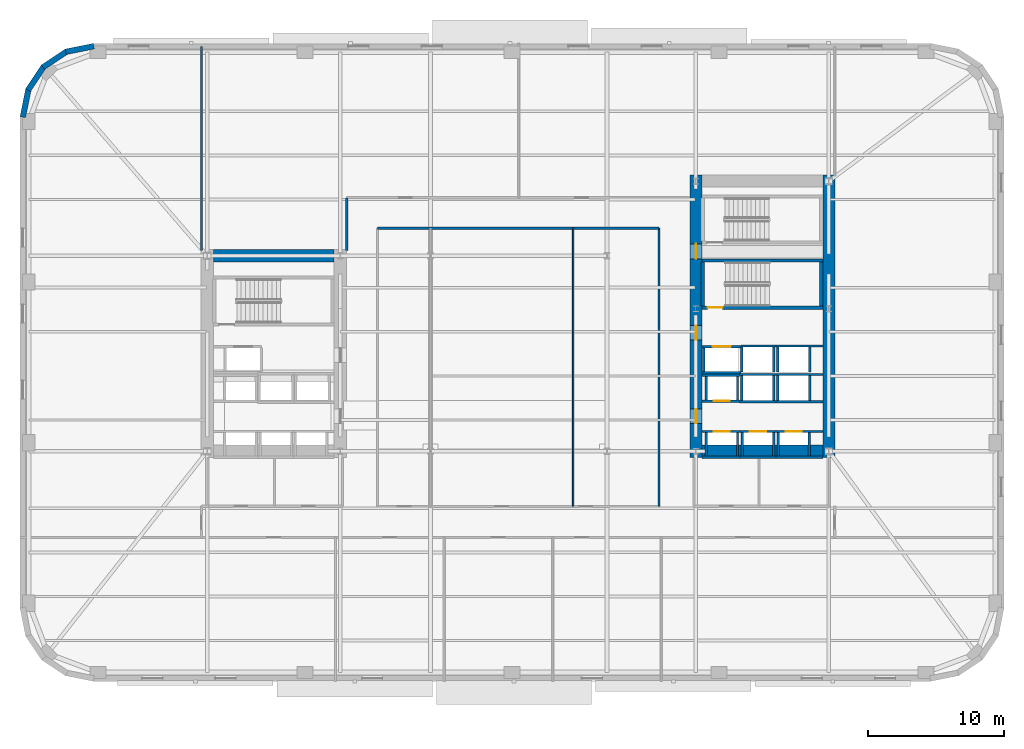
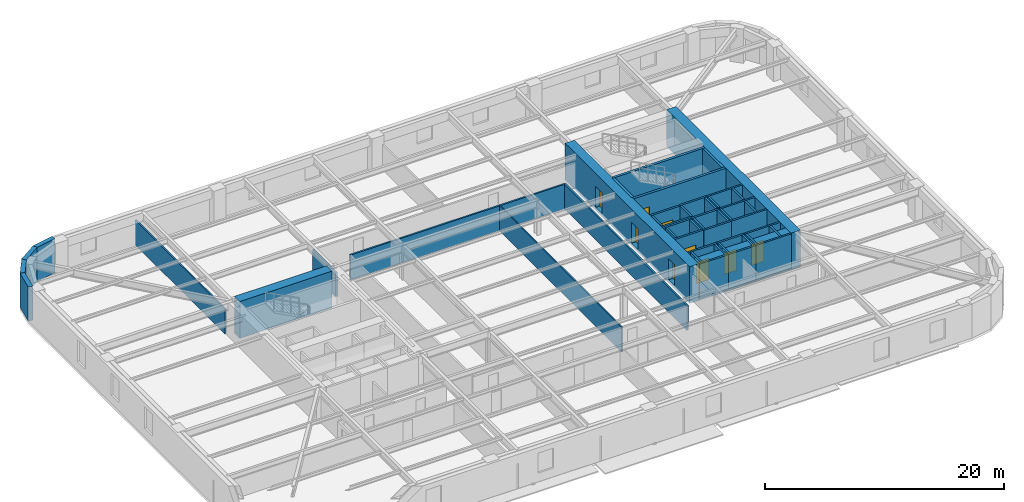
# One storey, part 6 of 14: 50 walls, 9 doors, 9 openings.
"""IFC4 building model written with IfcOpenShell, lengths in metres."""

from ifc_helpers import new_model, si_unit, direction, frame, frame_2d, origin, place, context, subcontext, project, spatial, rectangle, extrude, material, layer, layer_set, type_object, element, fill, save


model = new_model("IFC4")

# Units and contexts
model_context = context("Model", 3, precision=1e-05, world=origin(), true_north=direction((0.0, 1.0)))
body_context = subcontext(model_context, "Body", "Model", "MODEL_VIEW")
ifc_project = project(units=[si_unit("LENGTHUNIT", "METRE"), si_unit("AREAUNIT", "SQUARE_METRE"), si_unit("VOLUMEUNIT", "CUBIC_METRE"), si_unit("PLANEANGLEUNIT", "RADIAN"), si_unit("MASSUNIT", "GRAM", prefix="KILO")], contexts=[model_context])

# Site, building, storey
site_placement = place(None, origin())
site = spatial("IfcSite", under=ifc_project, at=site_placement, CompositionType="ELEMENT")
building_placement = place(site_placement, origin())
building = spatial("IfcBuilding", under=site, at=building_placement, Name="Kolvaren Arena Tower", CompositionType="ELEMENT")
storey_placement = place(building_placement, frame((0.0, 0.0, 57.0)))
storey = spatial("IfcBuildingStorey", under=building, at=storey_placement, Name="L11", CompositionType="ELEMENT", Elevation=57.0)

# Walls
ifc_material_1 = material(Name="Gypsum board acoustic assembly", Category="gypsum")
ifc_layer_1 = layer(ifc_material_1, 0.159912109375)
ifc_layer_set_1 = layer_set([ifc_layer_1], Name="Gypsum board acoustic assembly")
wall_type_1 = type_object("IfcWallType", Name="CORR-160", PredefinedType="PARTITIONING", material=ifc_layer_set_1)
wall_1_placement = place(storey_placement, frame((24.820068359375, 34.25, 0.0), z_axis=(0.0, 0.0, 1.0), x_axis=(0.0, 1.0, 0.0)))
element("IfcWall", 1, at=wall_1_placement, inside=storey, type_object=wall_type_1, Name="Interior Partition Wall (L11)", PredefinedType="PARTITIONING", context=body_context, shape_type="SweptSolid", body=[
    extrude(rectangle(XDim=3.8701171875, YDim=0.159912109375, at=frame_2d((1.93505859375, 0.0))), origin(), (0.0, 0.0, 1.0), 2.5400390625),
])
wall_2_placement = place(storey_placement, frame((27.080078125, 35.8798828125, 0.0), z_axis=(0.0, 0.0, 1.0), x_axis=(1.0, 0.0, 0.0)))
element("IfcWall", 2, at=wall_2_placement, inside=storey, type_object=wall_type_1, Name="Interior Partition Wall (L11)", PredefinedType="PARTITIONING", context=body_context, shape_type="SweptSolid", body=[
    extrude(rectangle(XDim=20.739990234375, YDim=0.159912109375, at=frame_2d((10.3701171875, 0.0))), origin(), (0.0, 0.0, 1.0), 2.5400390625),
])
wall_3_placement = place(storey_placement, frame((47.820068359375, 15.3798828125, 0.0), z_axis=(0.0, 0.0, 1.0), x_axis=(0.0, 1.0, 0.0)))
element("IfcWall", 3, at=wall_3_placement, inside=storey, type_object=wall_type_1, Name="Interior Partition Wall (L11)", PredefinedType="PARTITIONING", context=body_context, shape_type="SweptSolid", body=[
    extrude(rectangle(XDim=20.5, YDim=0.159912109375, at=frame_2d((10.25, 0.0))), origin(), (0.0, 0.0, 1.0), 2.5400390625),
])
ifc_material_2 = material(Name="Concrete 80 MPa", Category="concrete")
ifc_layer_2 = layer(ifc_material_2, 0.89990234375)
ifc_layer_set_2 = layer_set([ifc_layer_2], Name="Concrete 80 MPa")
wall_type_2 = type_object("IfcWallType", Name="CWALL-900", PredefinedType="SHEAR", material=ifc_layer_set_2)
wall_4_placement = place(storey_placement, frame((15.0, 33.85009765625, -0.27001953125), z_axis=(0.0, 0.0, 1.0), x_axis=(1.0, 0.0, 0.0)))
element("IfcWall", 4, at=wall_4_placement, inside=storey, type_object=wall_type_2, Name="Core Shear Wall WC-NORTH (L11)", PredefinedType="SHEAR", context=body_context, shape_type="SweptSolid", body=[
    extrude(rectangle(XDim=8.89990234375, YDim=0.89990234375, at=frame_2d((4.449951171875, 0.0))), origin(), (0.0, 0.0, 1.0), 3.75),
])

# Wall, openings, doors
wall_5_placement = place(storey_placement, frame((50.550048828125, 19.0, -0.27001953125), z_axis=(0.0, 0.0, 1.0), x_axis=(0.0, 1.0, 0.0)))
wall_5 = element("IfcWall", 5, at=wall_5_placement, inside=storey, type_object=wall_type_2, Name="Core Shear Wall EC-WEST (L11)", PredefinedType="SHEAR", context=body_context, shape_type="SweptSolid", body=[
    extrude(rectangle(XDim=20.800048828125, YDim=0.89990234375, at=frame_2d((10.39990234375, 0.0))), origin(), (0.0, 0.0, 1.0), 3.75),
])
opening_1_placement = place(wall_5_placement, frame((2.5, 0.0, 0.27001953125)))
opening_1 = element("IfcOpeningElement", 6, at=opening_1_placement, cuts=wall_5, Name="Opening D04", PredefinedType="OPENING", context=body_context, shape_type="SweptSolid", body=[
    extrude(rectangle(XDim=1.050048828125, YDim=2.14990234375, at=frame_2d((0.52490234375, 1.074951171875))), frame((0.0, 0.4599609375, 0.0), z_axis=(0.0, -1.0, 0.0), x_axis=(1.0, 0.0, 0.0)), (0.0, 0.0, 1.0), 0.919921875),
])
opening_2_placement = place(wall_5_placement, frame((8.64990234375, 0.0, 0.27001953125)))
opening_2 = element("IfcOpeningElement", 7, at=opening_2_placement, cuts=wall_5, Name="Opening D04", PredefinedType="OPENING", context=body_context, shape_type="SweptSolid", body=[
    extrude(rectangle(XDim=1.050048828125, YDim=2.14990234375, at=frame_2d((0.52490234375, 1.074951171875))), frame((0.0, 0.4599609375, 0.0), z_axis=(0.0, -1.0, 0.0), x_axis=(1.0, 0.0, 0.0)), (0.0, 0.0, 1.0), 0.919921875),
])
opening_3_placement = place(wall_5_placement, frame((14.6201171875, 0.0, 0.27001953125)))
opening_3 = element("IfcOpeningElement", 8, at=opening_3_placement, cuts=wall_5, Name="Opening D03", PredefinedType="OPENING", context=body_context, shape_type="SweptSolid", body=[
    extrude(rectangle(XDim=1.10009765625, YDim=2.14990234375, at=frame_2d((0.550048828125, 1.074951171875))), frame((0.0, 0.4599609375, 0.0), z_axis=(0.0, -1.0, 0.0), x_axis=(1.0, 0.0, 0.0)), (0.0, 0.0, 1.0), 0.919921875),
])
ifc_material_3 = material(Name="Fire-rated steel lobby door", Category="steel")
door_type_1 = type_object("IfcDoorType", Name="DOOR-FF-105", OperationType="NOTDEFINED", PredefinedType="DOOR", material=ifc_material_3)
door_1_placement = place(opening_1_placement, origin())
door_1 = element("IfcDoor", 9, at=door_1_placement, inside=storey, type_object=door_type_1, Name="East Lift Lobby Fire Door (L11)", OperationType="SINGLE_SWING_RIGHT", OverallHeight=2.14990234375, OverallWidth=1.050048828125, PredefinedType="DOOR", context=body_context, shape_type="SweptSolid", body=[
    extrude(rectangle(XDim=1.050048828125, YDim=2.14990234375, at=frame_2d((0.52490234375, 1.074951171875))), frame((0.0, 0.02490234375, 0.0), z_axis=(0.0, -1.0, 0.0), x_axis=(1.0, 0.0, 0.0)), (0.0, 0.0, 1.0), 0.050048828125),
])
fill(opening_1, door_1)
door_2_placement = place(opening_2_placement, origin())
door_2 = element("IfcDoor", 10, at=door_2_placement, inside=storey, type_object=door_type_1, Name="East Firefighter Vestibule Door (L11)", OperationType="SINGLE_SWING_LEFT", OverallHeight=2.14990234375, OverallWidth=1.050048828125, PredefinedType="DOOR", context=body_context, shape_type="SweptSolid", body=[
    extrude(rectangle(XDim=1.050048828125, YDim=2.14990234375, at=frame_2d((0.52490234375, 1.074951171875))), frame((0.0, 0.02490234375, 0.0), z_axis=(0.0, -1.0, 0.0), x_axis=(1.0, 0.0, 0.0)), (0.0, 0.0, 1.0), 0.050048828125),
])
fill(opening_2, door_2)
ifc_material_4 = material(Name="Fire-rated steel exit stair door", Category="steel")
door_type_2 = type_object("IfcDoorType", Name="DOOR-ST-110", OperationType="NOTDEFINED", PredefinedType="DOOR", material=ifc_material_4)
door_3_placement = place(opening_3_placement, origin())
door_3 = element("IfcDoor", 11, at=door_3_placement, inside=storey, type_object=door_type_2, Name="Stair ST-E2 Vestibule Fire Door (L11)", OperationType="SINGLE_SWING_LEFT", OverallHeight=2.14990234375, OverallWidth=1.10009765625, PredefinedType="DOOR", context=body_context, shape_type="SweptSolid", body=[
    extrude(rectangle(XDim=1.10009765625, YDim=2.14990234375, at=frame_2d((0.550048828125, 1.074951171875))), frame((0.0, 0.02490234375, 0.0), z_axis=(0.0, -1.0, 0.0), x_axis=(1.0, 0.0, 0.0)), (0.0, 0.0, 1.0), 0.050048828125),
])
fill(opening_3, door_3)

# Walls
wall_6_placement = place(storey_placement, frame((60.35009765625, 19.0, -0.27001953125), z_axis=(0.0, 0.0, 1.0), x_axis=(0.0, 1.0, 0.0)))
element("IfcWall", 12, at=wall_6_placement, inside=storey, type_object=wall_type_2, Name="Core Shear Wall EC-EAST (L11)", PredefinedType="SHEAR", context=body_context, shape_type="SweptSolid", body=[
    extrude(rectangle(XDim=20.800048828125, YDim=0.89990234375, at=frame_2d((10.39990234375, 0.0))), origin(), (0.0, 0.0, 1.0), 3.75),
])
wall_7_placement = place(storey_placement, frame((51.0, 19.449951171875, -0.27001953125), z_axis=(0.0, 0.0, 1.0), x_axis=(1.0, 0.0, 0.0)))
element("IfcWall", 13, at=wall_7_placement, inside=storey, type_object=wall_type_2, Name="Core Shear Wall EC-SOUTH (L11)", PredefinedType="SHEAR", context=body_context, shape_type="SweptSolid", body=[
    extrude(rectangle(XDim=8.89990234375, YDim=0.89990234375, at=frame_2d((4.449951171875, 0.0))), origin(), (0.0, 0.0, 1.0), 3.75),
])
ifc_material_5 = material(Name="Precast concrete C50/60", Category="concrete")
ifc_layer_3 = layer(ifc_material_5, 0.419921875)
ifc_layer_set_3 = layer_set([ifc_layer_3], Name="Precast concrete C50/60")
wall_type_3 = type_object("IfcWallType", Name="EXT-PIER1", PredefinedType="SOLIDWALL", material=ifc_layer_set_3)
for number, where, z_axis, x_axis, name in (
    (14, (4.12451171875, 48.8828125, 0.0), (0.0, 0.0, 1.0), (0.9807762837, 0.195135546048, 0.0), "Exterior Precast Masonry-Frame Wall (L11)"),
    (15, (2.4482421875, 47.743896484375, 0.0), (0.0, 0.0, 1.0), (0.831515102434, 0.555502146192, 0.0), "Exterior Precast Masonry-Frame Wall (L11)"),
    (16, (1.335693359375, 46.0498046875, 0.0), (0.0, 0.0, 1.0), (0.555502146192, 0.831515102434, 0.0), "Exterior Precast Masonry-Frame Wall (L11)"),
    (17, (0.9560546875, 44.05908203125, 0.0), (0.0, 0.0, 1.0), (0.195135546048, 0.9807762837, 0.0), "Exterior Precast Masonry-Frame Wall (L11)"),
):
    element("IfcWall", number, at=place(storey_placement, frame(where, z_axis=z_axis, x_axis=x_axis)), inside=storey, type_object=wall_type_3, Name=name, PredefinedType="SOLIDWALL", context=body_context, shape_type="SweptSolid", body=[
        extrude(rectangle(XDim=2.10693359375, YDim=0.419921875, at=frame_2d((1.053466796875, 0.0))), origin(), (0.0, 0.0, 1.0), 3.47998046875),
    ])
ifc_material_6 = material(Name="Gypsum board partition assembly", Category="gypsum")
ifc_layer_4 = layer(ifc_material_6, 0.114990234375)
ifc_layer_set_4 = layer_set([ifc_layer_4], Name="Gypsum board partition assembly")
wall_type_4 = type_object("IfcWallType", Name="PART-115", PredefinedType="PARTITIONING", material=ifc_layer_set_4)
wall_8_placement = place(storey_placement, frame((41.5, 15.3798828125, 0.0), z_axis=(0.0, 0.0, 1.0), x_axis=(0.0, 1.0, 0.0)))
element("IfcWall", 18, at=wall_8_placement, inside=storey, type_object=wall_type_4, Name="Interior Partition Wall (L11)", PredefinedType="PARTITIONING", context=body_context, shape_type="SweptSolid", body=[
    extrude(rectangle(XDim=20.5, YDim=0.114990234375, at=frame_2d((10.25, 0.0))), origin(), (0.0, 0.0, 1.0), 2.5400390625),
])
ifc_layer_5 = layer(ifc_material_6, 0.135009765625)
ifc_layer_set_5 = layer_set([ifc_layer_5], Name="Gypsum board partition assembly")
wall_type_5 = type_object("IfcWallType", Name="PART-135", PredefinedType="PARTITIONING", material=ifc_layer_set_5)
wall_9_placement = place(storey_placement, frame((14.1201171875, 34.25, 0.0), z_axis=(0.0, 0.0, 1.0), x_axis=(0.0, 1.0, 0.0)))
element("IfcWall", 19, at=wall_9_placement, inside=storey, type_object=wall_type_5, Name="Interior Partition Wall (L11)", PredefinedType="PARTITIONING", context=body_context, shape_type="SweptSolid", body=[
    extrude(rectangle(XDim=15.010009765625, YDim=0.135009765625, at=frame_2d((7.5048828125, 0.0))), origin(), (0.0, 0.0, 1.0), 2.5400390625),
])

# Wall, opening, door
ifc_material_7 = material(Name="Concrete 45 MPa", Category="concrete")
ifc_layer_6 = layer(ifc_material_7, 0.25)
ifc_layer_set_6 = layer_set([ifc_layer_6], Name="Concrete 45 MPa")
wall_type_6 = type_object("IfcWallType", Name="SHAFT-250", PredefinedType="SOLIDWALL", material=ifc_layer_set_6)
wall_10_placement = place(storey_placement, frame((59.89990234375, 30.030029296875, 0.0), z_axis=(0.0, 0.0, 1.0), x_axis=(-1.0, 0.0, 0.0)))
wall_10 = element("IfcWall", 20, at=wall_10_placement, inside=storey, type_object=wall_type_6, Name="Core Shaft Wall (L11)", PredefinedType="SOLIDWALL", context=body_context, shape_type="SweptSolid", body=[
    extrude(rectangle(XDim=8.89990234375, YDim=0.239990234375, at=frame_2d((4.449951171875, 0.0))), origin(), (0.0, 0.0, 1.0), 3.47998046875),
])
opening_4_placement = place(wall_10_placement, frame((7.3798828125, 0.0, 0.0)))
opening_4 = element("IfcOpeningElement", 21, at=opening_4_placement, cuts=wall_10, Name="Opening D03", PredefinedType="OPENING", context=body_context, shape_type="SweptSolid", body=[
    extrude(rectangle(XDim=1.10009765625, YDim=2.14990234375, at=frame_2d((0.550048828125, 1.074951171875))), frame((0.0, 0.1298828125, 0.0), z_axis=(0.0, -1.0, 0.0), x_axis=(1.0, 0.0, 0.0)), (0.0, 0.0, 1.0), 0.260009765625),
])
door_4_placement = place(opening_4_placement, origin())
door_4 = element("IfcDoor", 22, at=door_4_placement, inside=storey, type_object=door_type_2, Name="Stair ST-E1 Fire Door (L11)", OperationType="SINGLE_SWING_LEFT", OverallHeight=2.14990234375, OverallWidth=1.10009765625, PredefinedType="DOOR", context=body_context, shape_type="SweptSolid", body=[
    extrude(rectangle(XDim=1.10009765625, YDim=2.14990234375, at=frame_2d((0.550048828125, 1.074951171875))), frame((0.0, 0.02490234375, 0.0), z_axis=(0.0, -1.0, 0.0), x_axis=(1.0, 0.0, 0.0)), (0.0, 0.0, 1.0), 0.050048828125),
])
fill(opening_4, door_4)

# Walls
wall_11_placement = place(storey_placement, frame((51.0, 33.5, 0.0), z_axis=(0.0, 0.0, 1.0), x_axis=(1.0, 0.0, 0.0)))
element("IfcWall", 23, at=wall_11_placement, inside=storey, type_object=wall_type_6, Name="Core Shaft Wall (L11)", PredefinedType="SOLIDWALL", context=body_context, shape_type="SweptSolid", body=[
    extrude(rectangle(XDim=8.89990234375, YDim=0.239990234375, at=frame_2d((4.449951171875, 0.0))), origin(), (0.0, 0.0, 1.0), 3.47998046875),
])
for number, where, z_axis, x_axis, name in (
    (24, (51.06005859375, 30.14990234375, 0.0), (0.0, 0.0, 1.0), (0.0, 1.0, 0.0), "Core Shaft Wall (L11)"),
    (25, (59.780029296875, 30.14990234375, 0.0), (0.0, 0.0, 1.0), (0.0, 1.0, 0.0), "Core Shaft Wall (L11)"),
):
    element("IfcWall", number, at=place(storey_placement, frame(where, z_axis=z_axis, x_axis=x_axis)), inside=storey, type_object=wall_type_6, Name=name, PredefinedType="SOLIDWALL", context=body_context, shape_type="SweptSolid", body=[
        extrude(rectangle(XDim=3.22998046875, YDim=0.239990234375, at=frame_2d((1.614990234375, 0.0))), origin(), (0.0, 0.0, 1.0), 3.47998046875),
    ])

# Wall, opening, door
wall_12_placement = place(storey_placement, frame((51.0, 20.905029296875, 0.0), z_axis=(0.0, 0.0, 1.0), x_axis=(1.0, 0.0, 0.0)))
wall_12 = element("IfcWall", 26, at=wall_12_placement, inside=storey, type_object=wall_type_6, Name="Core Shaft Wall (L11)", PredefinedType="SOLIDWALL", context=body_context, shape_type="SweptSolid", body=[
    extrude(rectangle(XDim=2.7900390625, YDim=0.179931640625, at=frame_2d((1.39501953125, 0.0))), origin(), (0.0, 0.0, 1.0), 3.47998046875),
])
opening_5_placement = place(wall_12_placement, frame((0.860107421875, 0.0, 0.0)))
opening_5 = element("IfcOpeningElement", 27, at=opening_5_placement, cuts=wall_12, Name="Opening LD1", PredefinedType="OPENING", context=body_context, shape_type="SweptSolid", body=[
    extrude(rectangle(XDim=1.199951171875, YDim=2.199951171875, at=frame_2d((0.60009765625, 1.10009765625))), frame((0.0, 0.099853515625, 0.0), z_axis=(0.0, -1.0, 0.0), x_axis=(1.0, 0.0, 0.0)), (0.0, 0.0, 1.0), 0.199951171875),
])
ifc_material_8 = material(Name="Stainless steel passenger lift landing door", Category="steel")
door_type_3 = type_object("IfcDoorType", Name="DOOR-LD-120", OperationType="DOUBLE_DOOR_SLIDING", PredefinedType="DOOR", material=ifc_material_8)
door_5_placement = place(opening_5_placement, origin())
door_5 = element("IfcDoor", 28, at=door_5_placement, inside=storey, type_object=door_type_3, Name="Lift EL-LR1 Landing Door (L11)", OperationType="DOUBLE_DOOR_SLIDING", OverallHeight=2.199951171875, OverallWidth=1.199951171875, PredefinedType="DOOR", context=body_context, shape_type="SweptSolid", body=[
    extrude(rectangle(XDim=1.199951171875, YDim=2.199951171875, at=frame_2d((0.60009765625, 1.10009765625))), frame((0.0, 0.02490234375, 0.0), z_axis=(0.0, -1.0, 0.0), x_axis=(1.0, 0.0, 0.0)), (0.0, 0.0, 1.0), 0.050048828125),
])
fill(opening_5, door_5)

# Walls
wall_13_placement = place(storey_placement, frame((51.0, 18.9951171875, 0.0), z_axis=(0.0, 0.0, 1.0), x_axis=(1.0, 0.0, 0.0)))
element("IfcWall", 29, at=wall_13_placement, inside=storey, type_object=wall_type_6, Name="Core Shaft Wall (L11)", PredefinedType="SOLIDWALL", context=body_context, shape_type="SweptSolid", body=[
    extrude(rectangle(XDim=2.7900390625, YDim=0.179931640625, at=frame_2d((1.39501953125, 0.0))), origin(), (0.0, 0.0, 1.0), 3.47998046875),
])
for number, where, z_axis, x_axis, name in (
    (30, (51.304931640625, 19.0849609375, 0.0), (0.0, 0.0, 1.0), (0.0, 1.0, 0.0), "Core Shaft Wall (L11)"),
    (31, (53.614990234375, 19.0849609375, 0.0), (0.0, 0.0, 1.0), (0.0, 1.0, 0.0), "Core Shaft Wall (L11)"),
):
    element("IfcWall", number, at=place(storey_placement, frame(where, z_axis=z_axis, x_axis=x_axis)), inside=storey, type_object=wall_type_6, Name=name, PredefinedType="SOLIDWALL", context=body_context, shape_type="SweptSolid", body=[
        extrude(rectangle(XDim=1.72998046875, YDim=0.179931640625, at=frame_2d((0.864990234375, 0.0))), origin(), (0.0, 0.0, 1.0), 3.47998046875),
    ])

# Wall, opening, door
wall_14_placement = place(storey_placement, frame((53.7900390625, 20.905029296875, 0.0), z_axis=(0.0, 0.0, 1.0), x_axis=(1.0, 0.0, 0.0)))
wall_14 = element("IfcWall", 32, at=wall_14_placement, inside=storey, type_object=wall_type_6, Name="Core Shaft Wall (L11)", PredefinedType="SOLIDWALL", context=body_context, shape_type="SweptSolid", body=[
    extrude(rectangle(XDim=2.64990234375, YDim=0.179931640625, at=frame_2d((1.324951171875, 0.0))), origin(), (0.0, 0.0, 1.0), 3.47998046875),
])
opening_6_placement = place(wall_14_placement, frame((0.72998046875, 0.0, 0.0)))
opening_6 = element("IfcOpeningElement", 33, at=opening_6_placement, cuts=wall_14, Name="Opening LD1", PredefinedType="OPENING", context=body_context, shape_type="SweptSolid", body=[
    extrude(rectangle(XDim=1.199951171875, YDim=2.199951171875, at=frame_2d((0.60009765625, 1.10009765625))), frame((0.0, 0.099853515625, 0.0), z_axis=(0.0, -1.0, 0.0), x_axis=(1.0, 0.0, 0.0)), (0.0, 0.0, 1.0), 0.199951171875),
])
door_6_placement = place(opening_6_placement, origin())
door_6 = element("IfcDoor", 34, at=door_6_placement, inside=storey, type_object=door_type_3, Name="Lift EL-LR2 Landing Door (L11)", OperationType="DOUBLE_DOOR_SLIDING", OverallHeight=2.199951171875, OverallWidth=1.199951171875, PredefinedType="DOOR", context=body_context, shape_type="SweptSolid", body=[
    extrude(rectangle(XDim=1.199951171875, YDim=2.199951171875, at=frame_2d((0.60009765625, 1.10009765625))), frame((0.0, 0.02490234375, 0.0), z_axis=(0.0, -1.0, 0.0), x_axis=(1.0, 0.0, 0.0)), (0.0, 0.0, 1.0), 0.050048828125),
])
fill(opening_6, door_6)

# Walls
wall_15_placement = place(storey_placement, frame((53.7900390625, 18.9951171875, 0.0), z_axis=(0.0, 0.0, 1.0), x_axis=(1.0, 0.0, 0.0)))
element("IfcWall", 35, at=wall_15_placement, inside=storey, type_object=wall_type_6, Name="Core Shaft Wall (L11)", PredefinedType="SOLIDWALL", context=body_context, shape_type="SweptSolid", body=[
    extrude(rectangle(XDim=2.64990234375, YDim=0.179931640625, at=frame_2d((1.324951171875, 0.0))), origin(), (0.0, 0.0, 1.0), 3.47998046875),
])
for number, where, z_axis, x_axis, name in (
    (36, (53.965087890625, 19.0849609375, 0.0), (0.0, 0.0, 1.0), (0.0, 1.0, 0.0), "Core Shaft Wall (L11)"),
    (37, (56.27490234375, 19.0849609375, 0.0), (0.0, 0.0, 1.0), (0.0, 1.0, 0.0), "Core Shaft Wall (L11)"),
):
    element("IfcWall", number, at=place(storey_placement, frame(where, z_axis=z_axis, x_axis=x_axis)), inside=storey, type_object=wall_type_6, Name=name, PredefinedType="SOLIDWALL", context=body_context, shape_type="SweptSolid", body=[
        extrude(rectangle(XDim=1.72998046875, YDim=0.179931640625, at=frame_2d((0.864990234375, 0.0))), origin(), (0.0, 0.0, 1.0), 3.47998046875),
    ])

# Wall, opening, door
wall_16_placement = place(storey_placement, frame((56.43994140625, 20.905029296875, 0.0), z_axis=(0.0, 0.0, 1.0), x_axis=(1.0, 0.0, 0.0)))
wall_16 = element("IfcWall", 38, at=wall_16_placement, inside=storey, type_object=wall_type_6, Name="Core Shaft Wall (L11)", PredefinedType="SOLIDWALL", context=body_context, shape_type="SweptSolid", body=[
    extrude(rectangle(XDim=3.4599609375, YDim=0.179931640625, at=frame_2d((1.72998046875, 0.0))), origin(), (0.0, 0.0, 1.0), 3.47998046875),
])
opening_7_placement = place(wall_16_placement, frame((0.719970703125, 0.0, 0.0)))
opening_7 = element("IfcOpeningElement", 39, at=opening_7_placement, cuts=wall_16, Name="Opening LD1", PredefinedType="OPENING", context=body_context, shape_type="SweptSolid", body=[
    extrude(rectangle(XDim=1.199951171875, YDim=2.199951171875, at=frame_2d((0.60009765625, 1.10009765625))), frame((0.0, 0.099853515625, 0.0), z_axis=(0.0, -1.0, 0.0), x_axis=(1.0, 0.0, 0.0)), (0.0, 0.0, 1.0), 0.199951171875),
])
door_7_placement = place(opening_7_placement, origin())
door_7 = element("IfcDoor", 40, at=door_7_placement, inside=storey, type_object=door_type_3, Name="Lift EL-LR3 Landing Door (L11)", OperationType="DOUBLE_DOOR_SLIDING", OverallHeight=2.199951171875, OverallWidth=1.199951171875, PredefinedType="DOOR", context=body_context, shape_type="SweptSolid", body=[
    extrude(rectangle(XDim=1.199951171875, YDim=2.199951171875, at=frame_2d((0.60009765625, 1.10009765625))), frame((0.0, 0.02490234375, 0.0), z_axis=(0.0, -1.0, 0.0), x_axis=(1.0, 0.0, 0.0)), (0.0, 0.0, 1.0), 0.050048828125),
])
fill(opening_7, door_7)

# Walls
wall_17_placement = place(storey_placement, frame((56.43994140625, 18.9951171875, 0.0), z_axis=(0.0, 0.0, 1.0), x_axis=(1.0, 0.0, 0.0)))
element("IfcWall", 41, at=wall_17_placement, inside=storey, type_object=wall_type_6, Name="Core Shaft Wall (L11)", PredefinedType="SOLIDWALL", context=body_context, shape_type="SweptSolid", body=[
    extrude(rectangle(XDim=3.4599609375, YDim=0.179931640625, at=frame_2d((1.72998046875, 0.0))), origin(), (0.0, 0.0, 1.0), 3.47998046875),
])
for number, where, z_axis, x_axis, name in (
    (42, (56.60498046875, 19.0849609375, 0.0), (0.0, 0.0, 1.0), (0.0, 1.0, 0.0), "Core Shaft Wall (L11)"),
    (43, (58.9150390625, 19.0849609375, 0.0), (0.0, 0.0, 1.0), (0.0, 1.0, 0.0), "Core Shaft Wall (L11)"),
):
    element("IfcWall", number, at=place(storey_placement, frame(where, z_axis=z_axis, x_axis=x_axis)), inside=storey, type_object=wall_type_6, Name=name, PredefinedType="SOLIDWALL", context=body_context, shape_type="SweptSolid", body=[
        extrude(rectangle(XDim=1.72998046875, YDim=0.179931640625, at=frame_2d((0.864990234375, 0.0))), origin(), (0.0, 0.0, 1.0), 3.47998046875),
    ])
wall_18_placement = place(storey_placement, frame((51.0, 25.054931640625, 0.0), z_axis=(0.0, 0.0, 1.0), x_axis=(1.0, 0.0, 0.0)))
element("IfcWall", 44, at=wall_18_placement, inside=storey, type_object=wall_type_6, Name="Core Shaft Wall (L11)", PredefinedType="SOLIDWALL", context=body_context, shape_type="SweptSolid", body=[
    extrude(rectangle(XDim=2.777587890625, YDim=0.179931640625, at=frame_2d((1.388671875, 0.0))), origin(), (0.0, 0.0, 1.0), 3.47998046875),
])

# Wall, opening, door
wall_19_placement = place(storey_placement, frame((51.0, 23.14501953125, 0.0), z_axis=(0.0, 0.0, 1.0), x_axis=(1.0, 0.0, 0.0)))
wall_19 = element("IfcWall", 45, at=wall_19_placement, inside=storey, type_object=wall_type_6, Name="Core Shaft Wall (L11)", PredefinedType="SOLIDWALL", context=body_context, shape_type="SweptSolid", body=[
    extrude(rectangle(XDim=2.777587890625, YDim=0.179931640625, at=frame_2d((1.388671875, 0.0))), origin(), (0.0, 0.0, 1.0), 3.47998046875),
])
opening_8_placement = place(wall_19_placement, frame((0.860107421875, 0.0, 0.0)))
opening_8 = element("IfcOpeningElement", 46, at=opening_8_placement, cuts=wall_19, Name="Opening LD1", PredefinedType="OPENING", context=body_context, shape_type="SweptSolid", body=[
    extrude(rectangle(XDim=1.199951171875, YDim=2.199951171875, at=frame_2d((0.60009765625, 1.10009765625))), frame((0.0, 0.099853515625, 0.0), z_axis=(0.0, -1.0, 0.0), x_axis=(1.0, 0.0, 0.0)), (0.0, 0.0, 1.0), 0.199951171875),
])
door_8_placement = place(opening_8_placement, origin())
door_8 = element("IfcDoor", 47, at=door_8_placement, inside=storey, type_object=door_type_3, Name="Lift EL-LR4 Landing Door (L11)", OperationType="DOUBLE_DOOR_SLIDING", OverallHeight=2.199951171875, OverallWidth=1.199951171875, PredefinedType="DOOR", context=body_context, shape_type="SweptSolid", body=[
    extrude(rectangle(XDim=1.199951171875, YDim=2.199951171875, at=frame_2d((0.60009765625, 1.10009765625))), frame((0.0, 0.02490234375, 0.0), z_axis=(0.0, -1.0, 0.0), x_axis=(1.0, 0.0, 0.0)), (0.0, 0.0, 1.0), 0.050048828125),
])
fill(opening_8, door_8)

# Walls
for number, where, z_axis, x_axis, name in (
    (48, (51.304931640625, 23.235107421875, 0.0), (0.0, 0.0, 1.0), (0.0, 1.0, 0.0), "Core Shaft Wall (L11)"),
    (49, (53.614990234375, 23.235107421875, 0.0), (0.0, 0.0, 1.0), (0.0, 1.0, 0.0), "Core Shaft Wall (L11)"),
):
    element("IfcWall", number, at=place(storey_placement, frame(where, z_axis=z_axis, x_axis=x_axis)), inside=storey, type_object=wall_type_6, Name=name, PredefinedType="SOLIDWALL", context=body_context, shape_type="SweptSolid", body=[
        extrude(rectangle(XDim=1.72998046875, YDim=0.179931640625, at=frame_2d((0.864990234375, 0.0))), origin(), (0.0, 0.0, 1.0), 3.47998046875),
    ])
for number, where, z_axis, x_axis, name in (
    (50, (53.777587890625, 25.10498046875, 0.0), (0.0, 0.0, 1.0), (1.0, 0.0, 0.0), "Core Shaft Wall (L11)"),
    (51, (53.777587890625, 23.094970703125, 0.0), (0.0, 0.0, 1.0), (1.0, 0.0, 0.0), "Core Shaft Wall (L11)"),
):
    element("IfcWall", number, at=place(storey_placement, frame(where, z_axis=z_axis, x_axis=x_axis)), inside=storey, type_object=wall_type_6, Name=name, PredefinedType="SOLIDWALL", context=body_context, shape_type="SweptSolid", body=[
        extrude(rectangle(XDim=2.662353515625, YDim=0.179931640625, at=frame_2d((1.3310546875, 0.0))), origin(), (0.0, 0.0, 1.0), 3.47998046875),
    ])
for number, where, z_axis, x_axis, name in (
    (52, (53.93994140625, 23.18505859375, 0.0), (0.0, 0.0, 1.0), (0.0, 1.0, 0.0), "Core Shaft Wall (L11)"),
    (53, (56.300048828125, 23.18505859375, 0.0), (0.0, 0.0, 1.0), (0.0, 1.0, 0.0), "Core Shaft Wall (L11)"),
):
    element("IfcWall", number, at=place(storey_placement, frame(where, z_axis=z_axis, x_axis=x_axis)), inside=storey, type_object=wall_type_6, Name=name, PredefinedType="SOLIDWALL", context=body_context, shape_type="SweptSolid", body=[
        extrude(rectangle(XDim=1.829833984375, YDim=0.179931640625, at=frame_2d((0.9150390625, 0.0))), origin(), (0.0, 0.0, 1.0), 3.47998046875),
    ])
for number, where, z_axis, x_axis, name in (
    (54, (56.43994140625, 25.10498046875, 0.0), (0.0, 0.0, 1.0), (1.0, 0.0, 0.0), "Core Shaft Wall (L11)"),
    (55, (56.43994140625, 23.094970703125, 0.0), (0.0, 0.0, 1.0), (1.0, 0.0, 0.0), "Core Shaft Wall (L11)"),
):
    element("IfcWall", number, at=place(storey_placement, frame(where, z_axis=z_axis, x_axis=x_axis)), inside=storey, type_object=wall_type_6, Name=name, PredefinedType="SOLIDWALL", context=body_context, shape_type="SweptSolid", body=[
        extrude(rectangle(XDim=3.4599609375, YDim=0.179931640625, at=frame_2d((1.72998046875, 0.0))), origin(), (0.0, 0.0, 1.0), 3.47998046875),
    ])
for number, where, z_axis, x_axis, name in (
    (56, (56.580078125, 23.18505859375, 0.0), (0.0, 0.0, 1.0), (0.0, 1.0, 0.0), "Core Shaft Wall (L11)"),
    (57, (58.93994140625, 23.18505859375, 0.0), (0.0, 0.0, 1.0), (0.0, 1.0, 0.0), "Core Shaft Wall (L11)"),
):
    element("IfcWall", number, at=place(storey_placement, frame(where, z_axis=z_axis, x_axis=x_axis)), inside=storey, type_object=wall_type_6, Name=name, PredefinedType="SOLIDWALL", context=body_context, shape_type="SweptSolid", body=[
        extrude(rectangle(XDim=1.829833984375, YDim=0.179931640625, at=frame_2d((0.9150390625, 0.0))), origin(), (0.0, 0.0, 1.0), 3.47998046875),
    ])
wall_20_placement = place(storey_placement, frame((53.864990234375, 27.205078125, 0.0), z_axis=(0.0, 0.0, 1.0), x_axis=(1.0, 0.0, 0.0)))
element("IfcWall", 58, at=wall_20_placement, inside=storey, type_object=wall_type_6, Name="Core Shaft Wall (L11)", PredefinedType="SOLIDWALL", context=body_context, shape_type="SweptSolid", body=[
    extrude(rectangle(XDim=2.574951171875, YDim=0.179931640625, at=frame_2d((1.28759765625, 0.0))), origin(), (0.0, 0.0, 1.0), 3.47998046875),
])
for number, where, z_axis, x_axis, name in (
    (59, (53.93994140625, 25.284912109375, 0.0), (0.0, 0.0, 1.0), (0.0, 1.0, 0.0), "Core Shaft Wall (L11)"),
    (60, (56.300048828125, 25.284912109375, 0.0), (0.0, 0.0, 1.0), (0.0, 1.0, 0.0), "Core Shaft Wall (L11)"),
):
    element("IfcWall", number, at=place(storey_placement, frame(where, z_axis=z_axis, x_axis=x_axis)), inside=storey, type_object=wall_type_6, Name=name, PredefinedType="SOLIDWALL", context=body_context, shape_type="SweptSolid", body=[
        extrude(rectangle(XDim=1.830078125, YDim=0.179931640625, at=frame_2d((0.9150390625, 0.0))), origin(), (0.0, 0.0, 1.0), 3.47998046875),
    ])
wall_21_placement = place(storey_placement, frame((56.43994140625, 27.205078125, 0.0), z_axis=(0.0, 0.0, 1.0), x_axis=(1.0, 0.0, 0.0)))
element("IfcWall", 61, at=wall_21_placement, inside=storey, type_object=wall_type_6, Name="Core Shaft Wall (L11)", PredefinedType="SOLIDWALL", context=body_context, shape_type="SweptSolid", body=[
    extrude(rectangle(XDim=3.4599609375, YDim=0.179931640625, at=frame_2d((1.72998046875, 0.0))), origin(), (0.0, 0.0, 1.0), 3.47998046875),
])
for number, where, z_axis, x_axis, name in (
    (62, (56.580078125, 25.284912109375, 0.0), (0.0, 0.0, 1.0), (0.0, 1.0, 0.0), "Core Shaft Wall (L11)"),
    (63, (58.93994140625, 25.284912109375, 0.0), (0.0, 0.0, 1.0), (0.0, 1.0, 0.0), "Core Shaft Wall (L11)"),
):
    element("IfcWall", number, at=place(storey_placement, frame(where, z_axis=z_axis, x_axis=x_axis)), inside=storey, type_object=wall_type_6, Name=name, PredefinedType="SOLIDWALL", context=body_context, shape_type="SweptSolid", body=[
        extrude(rectangle(XDim=1.830078125, YDim=0.179931640625, at=frame_2d((0.9150390625, 0.0))), origin(), (0.0, 0.0, 1.0), 3.47998046875),
    ])

# Wall, opening, door
wall_22_placement = place(storey_placement, frame((51.0, 27.155029296875, 0.0), z_axis=(0.0, 0.0, 1.0), x_axis=(1.0, 0.0, 0.0)))
wall_22 = element("IfcWall", 64, at=wall_22_placement, inside=storey, type_object=wall_type_6, Name="Core Shaft Wall (L11)", PredefinedType="SOLIDWALL", context=body_context, shape_type="SweptSolid", body=[
    extrude(rectangle(XDim=2.864990234375, YDim=0.179931640625, at=frame_2d((1.4326171875, 0.0))), origin(), (0.0, 0.0, 1.0), 3.47998046875),
])
opening_9_placement = place(wall_22_placement, frame((0.784912109375, 0.0, 0.0)))
opening_9 = element("IfcOpeningElement", 65, at=opening_9_placement, cuts=wall_22, Name="Opening LD2", PredefinedType="OPENING", context=body_context, shape_type="SweptSolid", body=[
    extrude(rectangle(XDim=1.35009765625, YDim=2.300048828125, at=frame_2d((0.675048828125, 1.14990234375))), frame((0.0, 0.099853515625, 0.0), z_axis=(0.0, -1.0, 0.0), x_axis=(1.0, 0.0, 0.0)), (0.0, 0.0, 1.0), 0.199951171875),
])
ifc_material_9 = material(Name="Stainless steel firefighter lift landing door", Category="steel")
door_type_4 = type_object("IfcDoorType", Name="DOOR-LD-135", OperationType="DOUBLE_DOOR_SLIDING", PredefinedType="DOOR", material=ifc_material_9)
door_9_placement = place(opening_9_placement, origin())
door_9 = element("IfcDoor", 66, at=door_9_placement, inside=storey, type_object=door_type_4, Name="Firefighter Lift FF-E1 Landing Door (L11)", OperationType="DOUBLE_DOOR_SLIDING", OverallHeight=2.300048828125, OverallWidth=1.35009765625, PredefinedType="DOOR", context=body_context, shape_type="SweptSolid", body=[
    extrude(rectangle(XDim=1.35009765625, YDim=2.300048828125, at=frame_2d((0.675048828125, 1.14990234375))), frame((0.0, 0.02490234375, 0.0), z_axis=(0.0, -1.0, 0.0), x_axis=(1.0, 0.0, 0.0)), (0.0, 0.0, 1.0), 0.050048828125),
])
fill(opening_9, door_9)

# Walls
wall_23_placement = place(storey_placement, frame((51.0, 25.2451171875, 0.0), z_axis=(0.0, 0.0, 1.0), x_axis=(1.0, 0.0, 0.0)))
element("IfcWall", 67, at=wall_23_placement, inside=storey, type_object=wall_type_6, Name="Core Shaft Wall (L11)", PredefinedType="SOLIDWALL", context=body_context, shape_type="SweptSolid", body=[
    extrude(rectangle(XDim=2.864990234375, YDim=0.179931640625, at=frame_2d((1.4326171875, 0.0))), origin(), (0.0, 0.0, 1.0), 3.47998046875),
])
wall_24_placement = place(storey_placement, frame((51.1298828125, 25.3349609375, 0.0), z_axis=(0.0, 0.0, 1.0), x_axis=(0.0, 1.0, 0.0)))
element("IfcWall", 68, at=wall_24_placement, inside=storey, type_object=wall_type_6, Name="Core Shaft Wall (L11)", PredefinedType="SOLIDWALL", context=body_context, shape_type="SweptSolid", body=[
    extrude(rectangle(XDim=1.72998046875, YDim=0.179931640625, at=frame_2d((0.864990234375, 0.0))), origin(), (0.0, 0.0, 1.0), 3.47998046875),
])

save(model, "model.ifc")
